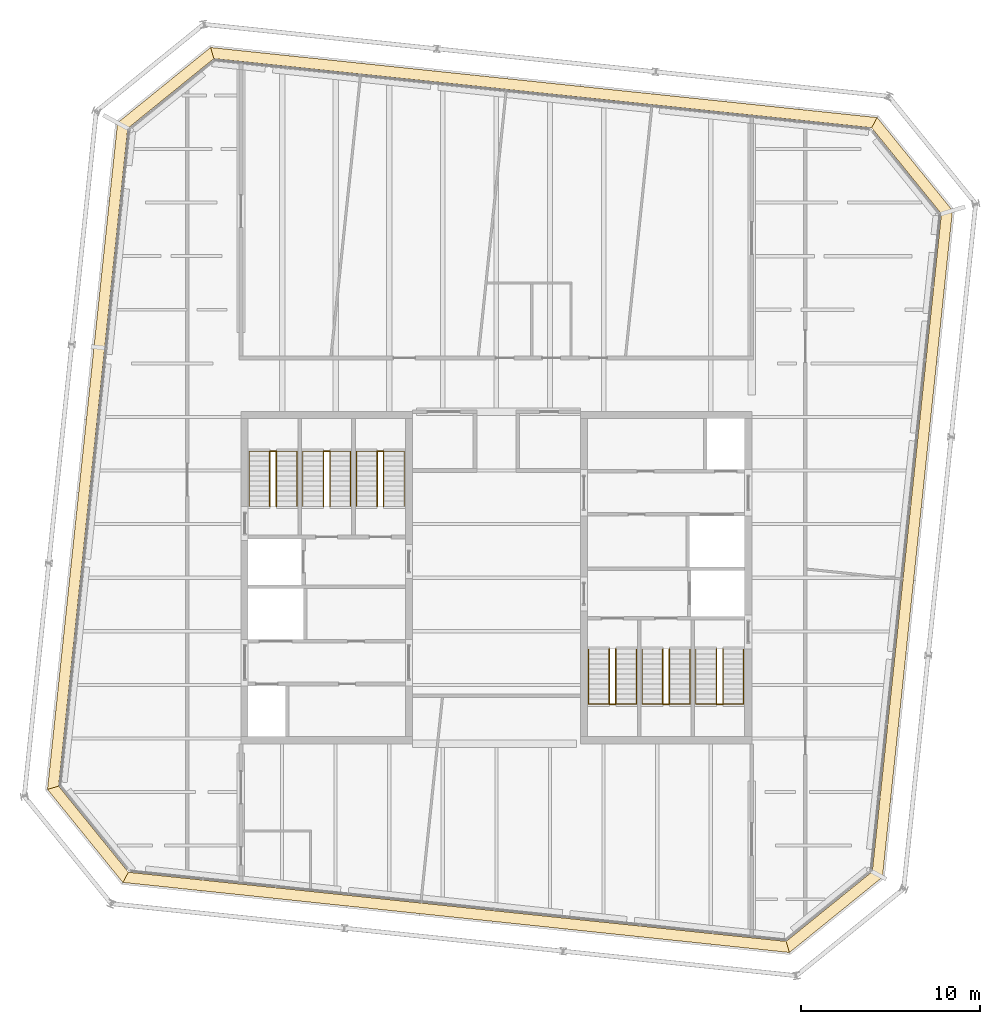
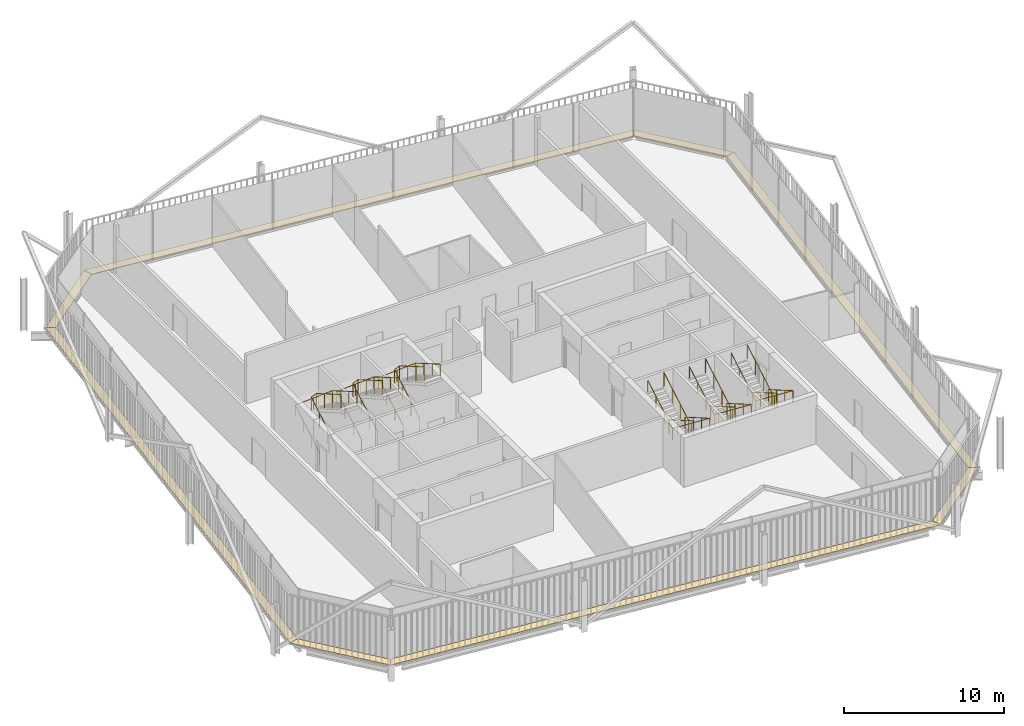
# One storey, part 21 of 21: 12 railings, 8 coverings.
"""IFC4 building model written with IfcOpenShell, lengths in metres."""

from ifc_helpers import new_model, si_unit, direction, frame, origin, origin_2d, place, context, subcontext, project, spatial, polyline, circle, outline, extrude, material, layer, layer_set, type_object, element, save


model = new_model("IFC4")

# Units and contexts
model_context = context("Model", 3, precision=1e-05, world=origin(), true_north=direction((0.0, 1.0)))
body_context = subcontext(model_context, "Body", "Model", "MODEL_VIEW")
ifc_project = project(units=[si_unit("LENGTHUNIT", "METRE"), si_unit("AREAUNIT", "SQUARE_METRE"), si_unit("VOLUMEUNIT", "CUBIC_METRE"), si_unit("PLANEANGLEUNIT", "RADIAN"), si_unit("MASSUNIT", "GRAM", prefix="KILO")], contexts=[model_context])

# Site, building, storey
site_placement = place(None, origin())
site = spatial("IfcSite", under=ifc_project, at=site_placement, CompositionType="ELEMENT")
building_placement = place(site_placement, origin())
building = spatial("IfcBuilding", under=site, at=building_placement, Name="Millrace Tower", CompositionType="ELEMENT")
storey_placement = place(building_placement, frame((0.0, 0.0, 276.0)))
storey = spatial("IfcBuildingStorey", under=building, at=storey_placement, Name="L63", CompositionType="ELEMENT", Elevation=276.0)

# Coverings
ifc_material_1 = material(Name="Steel ASTM A36", Category="steel")
ifc_layer = layer(ifc_material_1, 0.050048828125)
ifc_layer_set = layer_set([ifc_layer], Name="Steel ASTM A36")
covering_type = type_object("IfcCoveringType", Name="CAVITY CATWALK steel grating", PredefinedType="FLOORING", material=ifc_layer_set)
placement = place(storey_placement, frame((0.0, 0.0, 0.10009765625)))
element("IfcCovering", 1, at=placement, inside=storey, type_object=covering_type, Name="Cavity catwalk grating E-F01 L63 1", PredefinedType="FLOORING", context=body_context, shape_type="SweptSolid", body=[
    extrude(outline(polyline([(-25.13232421875, -11.8515625), (-20.914306640625, -17.060302734375), (-20.6044921875, -16.489501953125), (-24.509521484375, -11.6669921875), (-25.13232421875, -11.8515625)])), origin(), (0.0, 0.0, 1.0), 0.0498046875),
])
element("IfcCovering", 2, at=placement, inside=storey, type_object=covering_type, Name="Cavity catwalk grating E-F02 L63 1", PredefinedType="FLOORING", context=body_context, shape_type="SweptSolid", body=[
    extrude(outline(polyline([(-20.914306640625, -17.060302734375), (16.4013671875, -20.982177734375), (16.217041015625, -20.359619140625), (-20.6044921875, -16.489501953125), (-20.914306640625, -17.060302734375)])), origin(), (0.0, 0.0, 1.0), 0.0498046875),
])
element("IfcCovering", 3, at=placement, inside=storey, type_object=covering_type, Name="Cavity catwalk grating E-F03 L63 1", PredefinedType="FLOORING", context=body_context, shape_type="SweptSolid", body=[
    extrude(outline(polyline([(16.4013671875, -20.982177734375), (21.6103515625, -16.764404296875), (21.03955078125, -16.454345703125), (16.217041015625, -20.359619140625), (16.4013671875, -20.982177734375)])), origin(), (0.0, 0.0, 1.0), 0.0498046875),
])
element("IfcCovering", 4, at=placement, inside=storey, type_object=covering_type, Name="Cavity catwalk grating E-F04 L63 1", PredefinedType="FLOORING", context=body_context, shape_type="SweptSolid", body=[
    extrude(outline(polyline([(21.6103515625, -16.764404296875), (25.5322265625, 20.551513671875), (24.90966796875, 20.366943359375), (21.03955078125, -16.454345703125), (21.6103515625, -16.764404296875)])), origin(), (0.0, 0.0, 1.0), 0.0498046875),
])
element("IfcCovering", 5, at=placement, inside=storey, type_object=covering_type, Name="Cavity catwalk grating E-F05 L63 1", PredefinedType="FLOORING", context=body_context, shape_type="SweptSolid", body=[
    extrude(outline(polyline([(25.5322265625, 20.551513671875), (21.314208984375, 25.76025390625), (21.00439453125, 25.189453125), (24.90966796875, 20.366943359375), (25.5322265625, 20.551513671875)])), origin(), (0.0, 0.0, 1.0), 0.0498046875),
])
element("IfcCovering", 6, at=placement, inside=storey, type_object=covering_type, Name="Cavity catwalk grating E-F06 L63 1", PredefinedType="FLOORING", context=body_context, shape_type="SweptSolid", body=[
    extrude(outline(polyline([(21.314208984375, 25.76025390625), (-16.00146484375, 29.682373046875), (-15.817138671875, 29.0595703125), (21.00439453125, 25.189453125), (21.314208984375, 25.76025390625)])), origin(), (0.0, 0.0, 1.0), 0.0498046875),
])
element("IfcCovering", 7, at=placement, inside=storey, type_object=covering_type, Name="Cavity catwalk grating E-F07 L63 1", PredefinedType="FLOORING", context=body_context, shape_type="SweptSolid", body=[
    extrude(outline(polyline([(-16.00146484375, 29.682373046875), (-21.210205078125, 25.46435546875), (-20.639404296875, 25.154541015625), (-15.817138671875, 29.0595703125), (-16.00146484375, 29.682373046875)])), origin(), (0.0, 0.0, 1.0), 0.0498046875),
])
element("IfcCovering", 8, at=placement, inside=storey, type_object=covering_type, Name="Cavity catwalk grating E-F08 L63 1", PredefinedType="FLOORING", context=body_context, shape_type="SweptSolid", body=[
    extrude(outline(polyline([(-21.210205078125, 25.46435546875), (-25.13232421875, -11.8515625), (-24.509521484375, -11.6669921875), (-20.639404296875, 25.154541015625), (-21.210205078125, 25.46435546875)])), origin(), (0.0, 0.0, 1.0), 0.0498046875),
])

# Railings
ifc_material_2 = material(Name="Stainless steel ASTM A240 type 316", Category="steel")
railing_type_1 = type_object("IfcRailingType", Name="Stair guard 1100", PredefinedType="GUARDRAIL", material=ifc_material_2)
for number, where, name in (
    (9, (-12.679931640625, 4.0, 0.16259765625), "Stair guard 1 W L63"),
    (10, (-9.679931640625, 4.0, 0.16259765625), "Stair guard 2 W L63"),
    (11, (-6.679931640625, 4.0, 0.16259765625), "Stair guard 3 W L63"),
):
    element("IfcRailing", number, at=place(storey_placement, frame(where)), inside=storey, type_object=railing_type_1, Name=name, PredefinedType="GUARDRAIL", context=body_context, shape_type="SweptSolid", body=[
        extrude(circle(Radius=0.02392578125, at=origin_2d()), frame((0.0, 0.0, 1.076171875), z_axis=(0.0, 0.864920483161, 0.501908913857), x_axis=(-1.0, 0.0, 0.0)), (0.0, 0.0, 1.0), 3.56103515625),
        extrude(circle(Radius=0.02392578125, at=origin_2d()), frame((0.0, 3.080078125, 2.86328125), z_axis=(0.911295775139, 0.0, 0.411752365158), x_axis=(0.0, 1.0, 0.0)), (0.0, 0.0, 1.0), 0.394775390625),
        extrude(circle(Radius=0.02392578125, at=origin_2d()), frame((0.35986328125, 3.080078125, 3.02587890625), z_axis=(0.0, -0.864920483161, 0.501908913857), x_axis=(1.0, 0.0, 0.0)), (0.0, 0.0, 1.0), 3.56103515625),
        extrude(circle(Radius=0.02099609375, at=origin_2d()), origin(), (0.0, 0.0, 1.0), 1.052001953125),
        extrude(circle(Radius=0.02099609375, at=origin_2d()), frame((0.0, 1.026611328125, 0.595703125)), (0.0, 0.0, 1.0), 1.052001953125),
        extrude(circle(Radius=0.02099609375, at=origin_2d()), frame((0.0, 2.053466796875, 1.191650390625)), (0.0, 0.0, 1.0), 1.052001953125),
        extrude(circle(Radius=0.02099609375, at=origin_2d()), frame((0.0, 3.080078125, 1.787353515625)), (0.0, 0.0, 1.0), 1.052001953125),
        extrude(circle(Radius=0.02099609375, at=origin_2d()), frame((0.35986328125, 3.080078125, 1.949951171875)), (0.0, 0.0, 1.0), 1.052001953125),
        extrude(circle(Radius=0.02099609375, at=origin_2d()), frame((0.35986328125, 2.053466796875, 2.545654296875)), (0.0, 0.0, 1.0), 1.052001953125),
        extrude(circle(Radius=0.02099609375, at=origin_2d()), frame((0.35986328125, 1.026611328125, 3.1416015625)), (0.0, 0.0, 1.0), 1.052001953125),
        extrude(circle(Radius=0.02099609375, at=origin_2d()), frame((0.35986328125, 0.0, 3.7373046875)), (0.0, 0.0, 1.0), 1.052001953125),
    ])
for number, where, name in (
    (12, (12.679931640625, -4.0, 0.16259765625), "Stair guard 1 E L63"),
    (13, (9.679931640625, -4.0, 0.16259765625), "Stair guard 2 E L63"),
    (14, (6.679931640625, -4.0, 0.16259765625), "Stair guard 3 E L63"),
):
    element("IfcRailing", number, at=place(storey_placement, frame(where)), inside=storey, type_object=railing_type_1, Name=name, PredefinedType="GUARDRAIL", context=body_context, shape_type="SweptSolid", body=[
        extrude(circle(Radius=0.02392578125, at=origin_2d()), frame((0.0, 0.0, 1.076171875), z_axis=(0.0, -0.864920483161, 0.501908913857), x_axis=(1.0, 0.0, 0.0)), (0.0, 0.0, 1.0), 3.56103515625),
        extrude(circle(Radius=0.02392578125, at=origin_2d()), frame((0.0, -3.080078125, 2.86328125), z_axis=(-0.911295775139, 0.0, 0.411752365158), x_axis=(0.0, -1.0, 0.0)), (0.0, 0.0, 1.0), 0.394775390625),
        extrude(circle(Radius=0.02392578125, at=origin_2d()), frame((-0.35986328125, -3.080078125, 3.02587890625), z_axis=(0.0, 0.864920483161, 0.501908913857), x_axis=(-1.0, 0.0, 0.0)), (0.0, 0.0, 1.0), 3.56103515625),
        extrude(circle(Radius=0.02099609375, at=origin_2d()), origin(), (0.0, 0.0, 1.0), 1.052001953125),
        extrude(circle(Radius=0.02099609375, at=origin_2d()), frame((0.0, -1.026611328125, 0.595703125)), (0.0, 0.0, 1.0), 1.052001953125),
        extrude(circle(Radius=0.02099609375, at=origin_2d()), frame((0.0, -2.053466796875, 1.191650390625)), (0.0, 0.0, 1.0), 1.052001953125),
        extrude(circle(Radius=0.02099609375, at=origin_2d()), frame((0.0, -3.080078125, 1.787353515625)), (0.0, 0.0, 1.0), 1.052001953125),
        extrude(circle(Radius=0.02099609375, at=origin_2d()), frame((-0.35986328125, -3.080078125, 1.949951171875)), (0.0, 0.0, 1.0), 1.052001953125),
        extrude(circle(Radius=0.02099609375, at=origin_2d()), frame((-0.35986328125, -2.053466796875, 2.545654296875)), (0.0, 0.0, 1.0), 1.052001953125),
        extrude(circle(Radius=0.02099609375, at=origin_2d()), frame((-0.35986328125, -1.026611328125, 3.1416015625)), (0.0, 0.0, 1.0), 1.052001953125),
        extrude(circle(Radius=0.02099609375, at=origin_2d()), frame((-0.35986328125, 0.0, 3.7373046875)), (0.0, 0.0, 1.0), 1.052001953125),
    ])
ifc_material_3 = material(Name="Stainless steel ASTM A240 type 316", Category="steel")
railing_type_2 = type_object("IfcRailingType", Name="Stair handrail 900", PredefinedType="HANDRAIL", material=ifc_material_3)
railing_1_placement = place(storey_placement, frame((-13.840087890625, 4.0, 0.16259765625)))
element("IfcRailing", 15, at=railing_1_placement, inside=storey, type_object=railing_type_2, Name="Stair handrail 1 W L63", PredefinedType="HANDRAIL", context=body_context, shape_type="SweptSolid", body=[
    extrude(circle(Radius=0.02392578125, at=origin_2d()), frame((0.0, 0.0, 0.8759765625), z_axis=(0.0, 0.864920483161, 0.501908913857), x_axis=(-1.0, 0.0, 0.0)), (0.0, 0.0, 1.0), 3.56103515625),
    extrude(circle(Radius=0.02392578125, at=origin_2d()), frame((0.0, 3.080078125, 2.6630859375), z_axis=(0.998164834547, 0.0, 0.060555454528), x_axis=(0.0, 1.0, 0.0)), (0.0, 0.0, 1.0), 2.68505859375),
    extrude(circle(Radius=0.02392578125, at=origin_2d()), frame((2.68017578125, 3.080078125, 2.82568359375), z_axis=(0.0, -0.864920483161, 0.501908913857), x_axis=(1.0, 0.0, 0.0)), (0.0, 0.0, 1.0), 3.56103515625),
    extrude(circle(Radius=0.02099609375, at=origin_2d()), origin(), (0.0, 0.0, 1.0), 0.851806640625),
    extrude(circle(Radius=0.02099609375, at=origin_2d()), frame((0.0, 1.026611328125, 0.595703125)), (0.0, 0.0, 1.0), 0.851806640625),
    extrude(circle(Radius=0.02099609375, at=origin_2d()), frame((0.0, 2.053466796875, 1.191650390625)), (0.0, 0.0, 1.0), 0.851806640625),
    extrude(circle(Radius=0.02099609375, at=origin_2d()), frame((0.0, 3.080078125, 1.787353515625)), (0.0, 0.0, 1.0), 0.851806640625),
    extrude(circle(Radius=0.02099609375, at=origin_2d()), frame((1.340087890625, 3.080078125, 1.86865234375)), (0.0, 0.0, 1.0), 0.851806640625),
    extrude(circle(Radius=0.02099609375, at=origin_2d()), frame((2.68017578125, 3.080078125, 1.949951171875)), (0.0, 0.0, 1.0), 0.851806640625),
    extrude(circle(Radius=0.02099609375, at=origin_2d()), frame((2.68017578125, 2.053466796875, 2.545654296875)), (0.0, 0.0, 1.0), 0.851806640625),
    extrude(circle(Radius=0.02099609375, at=origin_2d()), frame((2.68017578125, 1.026611328125, 3.1416015625)), (0.0, 0.0, 1.0), 0.851806640625),
    extrude(circle(Radius=0.02099609375, at=origin_2d()), frame((2.68017578125, 0.0, 3.7373046875)), (0.0, 0.0, 1.0), 0.851806640625),
])
railing_2_placement = place(storey_placement, frame((-10.840087890625, 4.0, 0.16259765625)))
element("IfcRailing", 16, at=railing_2_placement, inside=storey, type_object=railing_type_2, Name="Stair handrail 2 W L63", PredefinedType="HANDRAIL", context=body_context, shape_type="SweptSolid", body=[
    extrude(circle(Radius=0.02392578125, at=origin_2d()), frame((0.0, 0.0, 0.8759765625), z_axis=(0.0, 0.864920483161, 0.501908913857), x_axis=(-1.0, 0.0, 0.0)), (0.0, 0.0, 1.0), 3.56103515625),
    extrude(circle(Radius=0.02392578125, at=origin_2d()), frame((0.0, 3.080078125, 2.6630859375), z_axis=(0.998164834547, 0.0, 0.060555454528), x_axis=(0.0, 1.0, 0.0)), (0.0, 0.0, 1.0), 2.68505859375),
    extrude(circle(Radius=0.02392578125, at=origin_2d()), frame((2.68017578125, 3.080078125, 2.82568359375), z_axis=(0.0, -0.864920483161, 0.501908913857), x_axis=(1.0, 0.0, 0.0)), (0.0, 0.0, 1.0), 3.56103515625),
    extrude(circle(Radius=0.02099609375, at=origin_2d()), origin(), (0.0, 0.0, 1.0), 0.851806640625),
    extrude(circle(Radius=0.02099609375, at=origin_2d()), frame((0.0, 1.026611328125, 0.595703125)), (0.0, 0.0, 1.0), 0.851806640625),
    extrude(circle(Radius=0.02099609375, at=origin_2d()), frame((0.0, 2.053466796875, 1.191650390625)), (0.0, 0.0, 1.0), 0.851806640625),
    extrude(circle(Radius=0.02099609375, at=origin_2d()), frame((0.0, 3.080078125, 1.787353515625)), (0.0, 0.0, 1.0), 0.851806640625),
    extrude(circle(Radius=0.02099609375, at=origin_2d()), frame((1.340087890625, 3.080078125, 1.86865234375)), (0.0, 0.0, 1.0), 0.851806640625),
    extrude(circle(Radius=0.02099609375, at=origin_2d()), frame((2.68017578125, 3.080078125, 1.949951171875)), (0.0, 0.0, 1.0), 0.851806640625),
    extrude(circle(Radius=0.02099609375, at=origin_2d()), frame((2.68017578125, 2.053466796875, 2.545654296875)), (0.0, 0.0, 1.0), 0.851806640625),
    extrude(circle(Radius=0.02099609375, at=origin_2d()), frame((2.68017578125, 1.026611328125, 3.1416015625)), (0.0, 0.0, 1.0), 0.851806640625),
    extrude(circle(Radius=0.02099609375, at=origin_2d()), frame((2.68017578125, 0.0, 3.7373046875)), (0.0, 0.0, 1.0), 0.851806640625),
])
railing_3_placement = place(storey_placement, frame((-7.840087890625, 4.0, 0.16259765625)))
element("IfcRailing", 17, at=railing_3_placement, inside=storey, type_object=railing_type_2, Name="Stair handrail 3 W L63", PredefinedType="HANDRAIL", context=body_context, shape_type="SweptSolid", body=[
    extrude(circle(Radius=0.02392578125, at=origin_2d()), frame((0.0, 0.0, 0.8759765625), z_axis=(0.0, 0.864920483161, 0.501908913857), x_axis=(-1.0, 0.0, 0.0)), (0.0, 0.0, 1.0), 3.56103515625),
    extrude(circle(Radius=0.02392578125, at=origin_2d()), frame((0.0, 3.080078125, 2.6630859375), z_axis=(0.998164834547, 0.0, 0.060555454528), x_axis=(0.0, 1.0, 0.0)), (0.0, 0.0, 1.0), 2.68505859375),
    extrude(circle(Radius=0.02392578125, at=origin_2d()), frame((2.68017578125, 3.080078125, 2.82568359375), z_axis=(0.0, -0.864920483161, 0.501908913857), x_axis=(1.0, 0.0, 0.0)), (0.0, 0.0, 1.0), 3.56103515625),
    extrude(circle(Radius=0.02099609375, at=origin_2d()), origin(), (0.0, 0.0, 1.0), 0.851806640625),
    extrude(circle(Radius=0.02099609375, at=origin_2d()), frame((0.0, 1.026611328125, 0.595703125)), (0.0, 0.0, 1.0), 0.851806640625),
    extrude(circle(Radius=0.02099609375, at=origin_2d()), frame((0.0, 2.053466796875, 1.191650390625)), (0.0, 0.0, 1.0), 0.851806640625),
    extrude(circle(Radius=0.02099609375, at=origin_2d()), frame((0.0, 3.080078125, 1.787353515625)), (0.0, 0.0, 1.0), 0.851806640625),
    extrude(circle(Radius=0.02099609375, at=origin_2d()), frame((1.340087890625, 3.080078125, 1.86865234375)), (0.0, 0.0, 1.0), 0.851806640625),
    extrude(circle(Radius=0.02099609375, at=origin_2d()), frame((2.68017578125, 3.080078125, 1.949951171875)), (0.0, 0.0, 1.0), 0.851806640625),
    extrude(circle(Radius=0.02099609375, at=origin_2d()), frame((2.68017578125, 2.053466796875, 2.545654296875)), (0.0, 0.0, 1.0), 0.851806640625),
    extrude(circle(Radius=0.02099609375, at=origin_2d()), frame((2.68017578125, 1.026611328125, 3.1416015625)), (0.0, 0.0, 1.0), 0.851806640625),
    extrude(circle(Radius=0.02099609375, at=origin_2d()), frame((2.68017578125, 0.0, 3.7373046875)), (0.0, 0.0, 1.0), 0.851806640625),
])
railing_4_placement = place(storey_placement, frame((13.840087890625, -4.0, 0.16259765625)))
element("IfcRailing", 18, at=railing_4_placement, inside=storey, type_object=railing_type_2, Name="Stair handrail 1 E L63", PredefinedType="HANDRAIL", context=body_context, shape_type="SweptSolid", body=[
    extrude(circle(Radius=0.02392578125, at=origin_2d()), frame((0.0, 0.0, 0.8759765625), z_axis=(0.0, -0.864920483161, 0.501908913857), x_axis=(1.0, 0.0, 0.0)), (0.0, 0.0, 1.0), 3.56103515625),
    extrude(circle(Radius=0.02392578125, at=origin_2d()), frame((0.0, -3.080078125, 2.6630859375), z_axis=(-0.998164834547, 0.0, 0.060555454528), x_axis=(0.0, -1.0, 0.0)), (0.0, 0.0, 1.0), 2.68505859375),
    extrude(circle(Radius=0.02392578125, at=origin_2d()), frame((-2.68017578125, -3.080078125, 2.82568359375), z_axis=(0.0, 0.864920483161, 0.501908913857), x_axis=(-1.0, 0.0, 0.0)), (0.0, 0.0, 1.0), 3.56103515625),
    extrude(circle(Radius=0.02099609375, at=origin_2d()), origin(), (0.0, 0.0, 1.0), 0.851806640625),
    extrude(circle(Radius=0.02099609375, at=origin_2d()), frame((0.0, -1.026611328125, 0.595703125)), (0.0, 0.0, 1.0), 0.851806640625),
    extrude(circle(Radius=0.02099609375, at=origin_2d()), frame((0.0, -2.053466796875, 1.191650390625)), (0.0, 0.0, 1.0), 0.851806640625),
    extrude(circle(Radius=0.02099609375, at=origin_2d()), frame((0.0, -3.080078125, 1.787353515625)), (0.0, 0.0, 1.0), 0.851806640625),
    extrude(circle(Radius=0.02099609375, at=origin_2d()), frame((-1.340087890625, -3.080078125, 1.86865234375)), (0.0, 0.0, 1.0), 0.851806640625),
    extrude(circle(Radius=0.02099609375, at=origin_2d()), frame((-2.68017578125, -3.080078125, 1.949951171875)), (0.0, 0.0, 1.0), 0.851806640625),
    extrude(circle(Radius=0.02099609375, at=origin_2d()), frame((-2.68017578125, -2.053466796875, 2.545654296875)), (0.0, 0.0, 1.0), 0.851806640625),
    extrude(circle(Radius=0.02099609375, at=origin_2d()), frame((-2.68017578125, -1.026611328125, 3.1416015625)), (0.0, 0.0, 1.0), 0.851806640625),
    extrude(circle(Radius=0.02099609375, at=origin_2d()), frame((-2.68017578125, 0.0, 3.7373046875)), (0.0, 0.0, 1.0), 0.851806640625),
])
railing_5_placement = place(storey_placement, frame((10.840087890625, -4.0, 0.16259765625)))
element("IfcRailing", 19, at=railing_5_placement, inside=storey, type_object=railing_type_2, Name="Stair handrail 2 E L63", PredefinedType="HANDRAIL", context=body_context, shape_type="SweptSolid", body=[
    extrude(circle(Radius=0.02392578125, at=origin_2d()), frame((0.0, 0.0, 0.8759765625), z_axis=(0.0, -0.864920483161, 0.501908913857), x_axis=(1.0, 0.0, 0.0)), (0.0, 0.0, 1.0), 3.56103515625),
    extrude(circle(Radius=0.02392578125, at=origin_2d()), frame((0.0, -3.080078125, 2.6630859375), z_axis=(-0.998164834547, 0.0, 0.060555454528), x_axis=(0.0, -1.0, 0.0)), (0.0, 0.0, 1.0), 2.68505859375),
    extrude(circle(Radius=0.02392578125, at=origin_2d()), frame((-2.68017578125, -3.080078125, 2.82568359375), z_axis=(0.0, 0.864920483161, 0.501908913857), x_axis=(-1.0, 0.0, 0.0)), (0.0, 0.0, 1.0), 3.56103515625),
    extrude(circle(Radius=0.02099609375, at=origin_2d()), origin(), (0.0, 0.0, 1.0), 0.851806640625),
    extrude(circle(Radius=0.02099609375, at=origin_2d()), frame((0.0, -1.026611328125, 0.595703125)), (0.0, 0.0, 1.0), 0.851806640625),
    extrude(circle(Radius=0.02099609375, at=origin_2d()), frame((0.0, -2.053466796875, 1.191650390625)), (0.0, 0.0, 1.0), 0.851806640625),
    extrude(circle(Radius=0.02099609375, at=origin_2d()), frame((0.0, -3.080078125, 1.787353515625)), (0.0, 0.0, 1.0), 0.851806640625),
    extrude(circle(Radius=0.02099609375, at=origin_2d()), frame((-1.340087890625, -3.080078125, 1.86865234375)), (0.0, 0.0, 1.0), 0.851806640625),
    extrude(circle(Radius=0.02099609375, at=origin_2d()), frame((-2.68017578125, -3.080078125, 1.949951171875)), (0.0, 0.0, 1.0), 0.851806640625),
    extrude(circle(Radius=0.02099609375, at=origin_2d()), frame((-2.68017578125, -2.053466796875, 2.545654296875)), (0.0, 0.0, 1.0), 0.851806640625),
    extrude(circle(Radius=0.02099609375, at=origin_2d()), frame((-2.68017578125, -1.026611328125, 3.1416015625)), (0.0, 0.0, 1.0), 0.851806640625),
    extrude(circle(Radius=0.02099609375, at=origin_2d()), frame((-2.68017578125, 0.0, 3.7373046875)), (0.0, 0.0, 1.0), 0.851806640625),
])
railing_6_placement = place(storey_placement, frame((7.840087890625, -4.0, 0.16259765625)))
element("IfcRailing", 20, at=railing_6_placement, inside=storey, type_object=railing_type_2, Name="Stair handrail 3 E L63", PredefinedType="HANDRAIL", context=body_context, shape_type="SweptSolid", body=[
    extrude(circle(Radius=0.02392578125, at=origin_2d()), frame((0.0, 0.0, 0.8759765625), z_axis=(0.0, -0.864920483161, 0.501908913857), x_axis=(1.0, 0.0, 0.0)), (0.0, 0.0, 1.0), 3.56103515625),
    extrude(circle(Radius=0.02392578125, at=origin_2d()), frame((0.0, -3.080078125, 2.6630859375), z_axis=(-0.998164834547, 0.0, 0.060555454528), x_axis=(0.0, -1.0, 0.0)), (0.0, 0.0, 1.0), 2.68505859375),
    extrude(circle(Radius=0.02392578125, at=origin_2d()), frame((-2.68017578125, -3.080078125, 2.82568359375), z_axis=(0.0, 0.864920483161, 0.501908913857), x_axis=(-1.0, 0.0, 0.0)), (0.0, 0.0, 1.0), 3.56103515625),
    extrude(circle(Radius=0.02099609375, at=origin_2d()), origin(), (0.0, 0.0, 1.0), 0.851806640625),
    extrude(circle(Radius=0.02099609375, at=origin_2d()), frame((0.0, -1.026611328125, 0.595703125)), (0.0, 0.0, 1.0), 0.851806640625),
    extrude(circle(Radius=0.02099609375, at=origin_2d()), frame((0.0, -2.053466796875, 1.191650390625)), (0.0, 0.0, 1.0), 0.851806640625),
    extrude(circle(Radius=0.02099609375, at=origin_2d()), frame((0.0, -3.080078125, 1.787353515625)), (0.0, 0.0, 1.0), 0.851806640625),
    extrude(circle(Radius=0.02099609375, at=origin_2d()), frame((-1.340087890625, -3.080078125, 1.86865234375)), (0.0, 0.0, 1.0), 0.851806640625),
    extrude(circle(Radius=0.02099609375, at=origin_2d()), frame((-2.68017578125, -3.080078125, 1.949951171875)), (0.0, 0.0, 1.0), 0.851806640625),
    extrude(circle(Radius=0.02099609375, at=origin_2d()), frame((-2.68017578125, -2.053466796875, 2.545654296875)), (0.0, 0.0, 1.0), 0.851806640625),
    extrude(circle(Radius=0.02099609375, at=origin_2d()), frame((-2.68017578125, -1.026611328125, 3.1416015625)), (0.0, 0.0, 1.0), 0.851806640625),
    extrude(circle(Radius=0.02099609375, at=origin_2d()), frame((-2.68017578125, 0.0, 3.7373046875)), (0.0, 0.0, 1.0), 0.851806640625),
])

save(model, "model.ifc")
